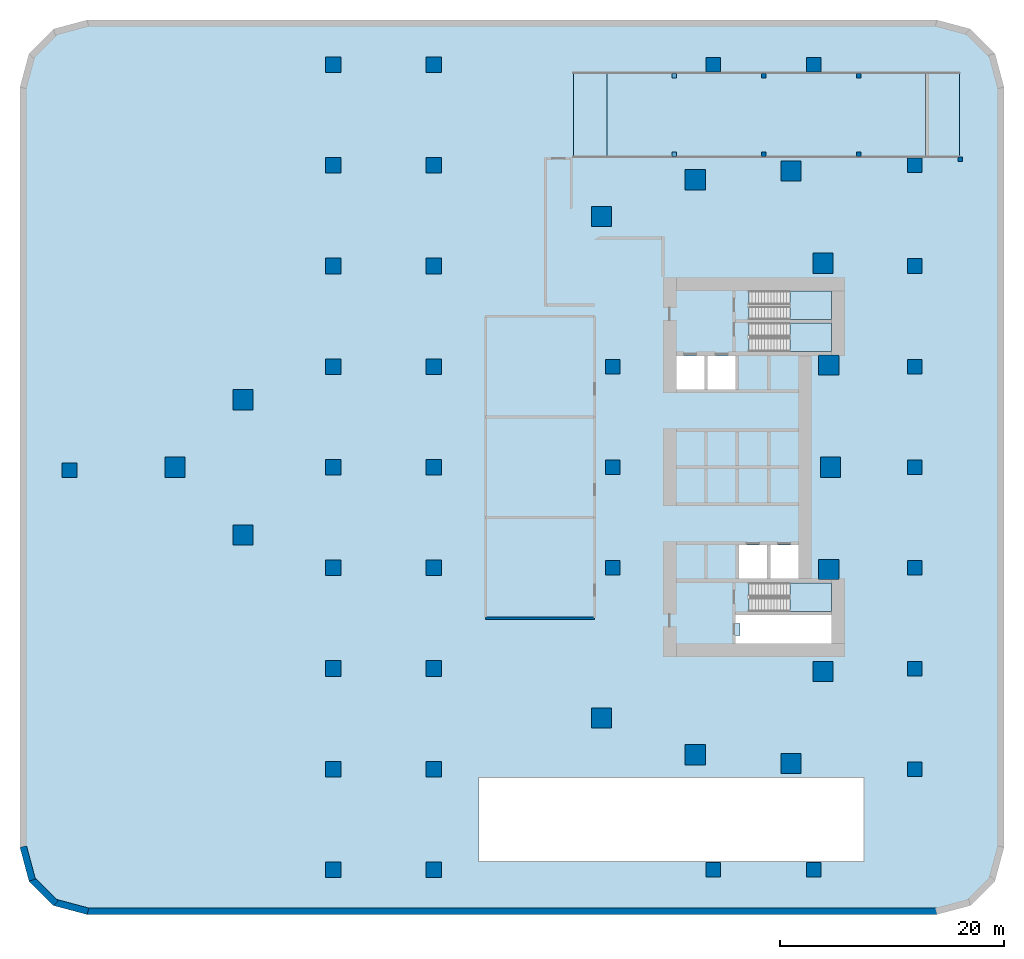
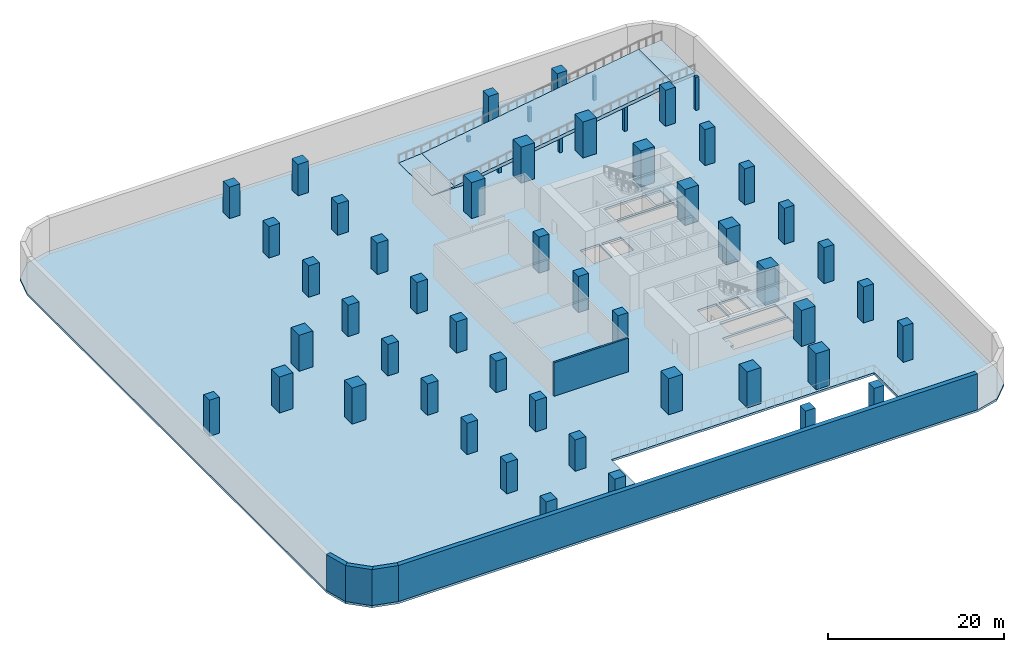
# One storey, part 1 of 9: 54 columns, 7 slabs, 5 walls, 1 opening, 3 elements without a shape of their own.
"""IFC4 building model written with IfcOpenShell, lengths in metres."""

import ifcopenshell
import ifcopenshell.guid

model = None  # the IFC model being written
_history = None  # IfcOwnerHistory: only IFC2X3 demands one
_inside = {}  # id of a spatial element -> (the spatial element, [elements in it])
_under = {}  # id of a project, library or spatial element -> (it, [spatial elements below it])
_declared = {}  # id of a project -> (the project, [libraries it declares])
_typed = {}  # id of a type object -> (the type object, [elements of that type])
_made_of = {}  # id of a material, layer set ... -> (it, [elements and type objects made of it])


def new_model(schema):
    """Start an empty IFC model of exactly this schema.

    Asked for "IFC4X3", IfcOpenShell would pick the latest addendum, in which some entities
    have other attributes; the version numbers below select the first issue.
    IFC2X3 requires an IfcOwnerHistory on every rooted entity: one is made here for all.
    """
    global model, _history
    if schema == "IFC4X3":
        model = ifcopenshell.file(schema_version=(4, 3, 0, 0))
    else:
        model = ifcopenshell.file(schema=schema)
    _inside.clear()
    _under.clear()
    _declared.clear()
    _typed.clear()
    _made_of.clear()
    _history = None
    if model.schema == "IFC2X3":
        org = make("IfcOrganization", Name="unknown")
        user = make(
            "IfcPersonAndOrganization",
            ThePerson=make("IfcPerson", FamilyName="unknown"),
            TheOrganization=org,
        )
        app = make(
            "IfcApplication",
            ApplicationDeveloper=org,
            Version="unknown",
            ApplicationFullName="unknown",
            ApplicationIdentifier="unknown",
        )
        _history = make(
            "IfcOwnerHistory",
            OwningUser=user,
            OwningApplication=app,
            ChangeAction="ADDED",
            CreationDate=0,
        )
    return model


def make(cls, **values):
    """One entity of the class cls with the attributes given. An attribute that is None is left unset."""
    return model.create_entity(
        cls, **{name: value for name, value in values.items() if value is not None}
    )


def rooted(cls, **values):
    """An entity with a GlobalId (a new one), such as an element, a storey or a relation."""
    return make(cls, GlobalId=ifcopenshell.guid.new(), OwnerHistory=_history, **values)


def si_unit(unit_type, name, prefix=None):
    """IfcSIUnit, for example si_unit("LENGTHUNIT", "METRE", prefix="MILLI")."""
    return make("IfcSIUnit", UnitType=unit_type, Prefix=prefix, Name=name)


def assignment(units):
    """IfcUnitAssignment: the units of a project."""
    return None if units is None else make("IfcUnitAssignment", Units=units)


def point(xyz):
    """IfcCartesianPoint."""
    return None if xyz is None else make("IfcCartesianPoint", Coordinates=xyz)


def direction(xyz):
    """IfcDirection."""
    return None if xyz is None else make("IfcDirection", DirectionRatios=xyz)


def frame(location, z_axis=None, x_axis=None):
    """IfcAxis2Placement3D, a coordinate frame: its origin and axes. An axis left out is left unset."""
    return make(
        "IfcAxis2Placement3D",
        Location=point(location),
        Axis=direction(z_axis),
        RefDirection=direction(x_axis),
    )


def frame_2d(location, x_axis=None):
    """IfcAxis2Placement2D, a coordinate frame in the plane: its origin and x axis."""
    return make(
        "IfcAxis2Placement2D", Location=point(location), RefDirection=direction(x_axis)
    )


def origin():
    """The frame at (0, 0, 0) with its axes left unset."""
    return frame((0.0, 0.0, 0.0))


def origin_2d():
    """The frame at (0, 0) in the plane with its x axis left unset."""
    return frame_2d((0.0, 0.0))


def place(relative_to, where):
    """IfcLocalPlacement: puts the frame where relative to a parent placement (None: the world)."""
    return make(
        "IfcLocalPlacement", PlacementRelTo=relative_to, RelativePlacement=where
    )


def context(
    kind, dimensions, precision=None, world=None, true_north=None, identifier=None
):
    """IfcGeometricRepresentationContext, for example the 3D "Model" context."""
    return make(
        "IfcGeometricRepresentationContext",
        ContextIdentifier=identifier,
        ContextType=kind,
        CoordinateSpaceDimension=dimensions,
        Precision=precision,
        WorldCoordinateSystem=world,
        TrueNorth=true_north,
    )


def subcontext(parent, identifier, kind, view, scale=None):
    """IfcGeometricRepresentationSubContext, for example "Body" below "Model"."""
    return make(
        "IfcGeometricRepresentationSubContext",
        ContextIdentifier=identifier,
        ContextType=kind,
        ParentContext=parent,
        TargetScale=scale,
        TargetView=view,
    )


def project(units=None, contexts=None):
    """IfcProject with its units and contexts."""
    return rooted(
        "IfcProject",
        Name="project",
        RepresentationContexts=contexts,
        UnitsInContext=assignment(units),
    )


def spatial(cls, under=None, at=None, **own):
    """A site, building, storey or space (cls), placed at a placement, below another one or the project."""
    s = rooted(cls, ObjectPlacement=at, **own)
    if under is not None:
        _under.setdefault(under.id(), (under, []))[1].append(s)
    return s


def polyline(points):
    """IfcPolyline through the points."""
    return make("IfcPolyline", Points=[point(p) for p in points])


def profile(cls, at=None, kind="AREA", **sizes):
    """A parametric profile (cls). Its sizes go by their IFC names, for example OverallWidth=200.0."""
    return make(cls, ProfileType=kind, Position=at, **sizes)


def rectangle(**sizes):
    """IfcRectangleProfileDef."""
    return profile("IfcRectangleProfileDef", **sizes)


def outline(outer, holes=None, kind="AREA"):
    """IfcArbitraryClosedProfileDef: a profile drawn as a closed curve; with holes, ...WithVoids."""
    if holes is None:
        return make("IfcArbitraryClosedProfileDef", ProfileType=kind, OuterCurve=outer)
    return make(
        "IfcArbitraryProfileDefWithVoids",
        ProfileType=kind,
        OuterCurve=outer,
        InnerCurves=holes,
    )


def extrude(swept, where, along, depth):
    """IfcExtrudedAreaSolid: the profile swept, set in the frame where, extruded along a direction by depth."""
    return make(
        "IfcExtrudedAreaSolid",
        SweptArea=swept,
        Position=where,
        ExtrudedDirection=direction(along),
        Depth=depth,
    )


def shape(context_of_items, identifier, shape_type, items):
    """IfcShapeRepresentation: the items that make up one representation, for example the "Body"."""
    return make(
        "IfcShapeRepresentation",
        ContextOfItems=context_of_items,
        RepresentationIdentifier=identifier,
        RepresentationType=shape_type,
        Items=items,
    )


def material(Name=None, Category=None):
    """IfcMaterial."""
    return make("IfcMaterial", Name=Name, Category=Category)


def layer(
    of_material, thickness, ventilated=None, Name=None, Category=None, Priority=None
):
    """IfcMaterialLayer: one layer of a wall or slab, of a material (None: an air gap)."""
    return make(
        "IfcMaterialLayer",
        Material=of_material,
        LayerThickness=thickness,
        IsVentilated=ventilated,
        Name=Name,
        Category=Category,
        Priority=Priority,
    )


def layer_set(layers, Name=None):
    """IfcMaterialLayerSet."""
    return make("IfcMaterialLayerSet", MaterialLayers=layers, LayerSetName=Name)


def material_profile(
    of_material, cross_section, Name=None, Category=None, Priority=None
):
    """IfcMaterialProfile: a cross section and its material."""
    return make(
        "IfcMaterialProfile",
        Name=Name,
        Material=of_material,
        Profile=cross_section,
        Priority=Priority,
        Category=Category,
    )


def profile_set(profiles, Name=None, composite=None):
    """IfcMaterialProfileSet."""
    return make(
        "IfcMaterialProfileSet",
        Name=Name,
        MaterialProfiles=profiles,
        CompositeProfile=composite,
    )


def made_of(thing, what):
    """Note that an element or type object is made of a material, layer set ...; save() writes the relation."""
    if what is not None:
        _made_of.setdefault(what.id(), (what, []))[1].append(thing)
    return thing


def type_object(cls, material=None, **own):
    """A type object (cls), such as IfcWallType, which elements share."""
    return made_of(rooted(cls, **own), material)


def element(
    cls,
    number,
    at=None,
    inside=None,
    cuts=None,
    type_object=None,
    material=None,
    context=None,
    identifier="Body",
    shape_type=None,
    held_by="IfcProductDefinitionShape",
    body=None,
    shapes=None,
    **own,
):
    """One element of the class cls, such as IfcWall. Its Tag is "e" and its number.

    at: its placement. inside: the storey or other place that contains it. cuts: it is an
    opening in that element (IfcRelVoidsElement). A single representation is given by context,
    identifier, shape_type and body (its items); several are given by shapes. held_by: the class
    of the entity that holds the representations. save() writes the other relations.
    """
    e = rooted(cls, Tag="e%d" % number, ObjectPlacement=at, **own)
    if body is not None:
        shapes = [shape(context, identifier, shape_type, body)]
    if shapes is not None:
        e.Representation = make(held_by, Representations=shapes)
    if inside is not None:
        _inside.setdefault(inside.id(), (inside, []))[1].append(e)
    if cuts is not None:
        rooted(
            "IfcRelVoidsElement", RelatingBuildingElement=cuts, RelatedOpeningElement=e
        )
    if type_object is not None:
        _typed.setdefault(type_object.id(), (type_object, []))[1].append(e)
    return made_of(e, material)


def aggregate(whole, parts):
    """IfcRelAggregates: a whole, such as a stair, and the parts it consists of."""
    return rooted("IfcRelAggregates", RelatingObject=whole, RelatedObjects=parts)


def save(model, path):
    """Write the relations noted so far, then the file.

    IfcRelAggregates (storeys below a building ...), IfcRelContainedInSpatialStructure (elements
    in a storey), IfcRelDefinesByType, IfcRelAssociatesMaterial and IfcRelDeclares: one each for
    every whole, place, type object, material and project.
    """
    for whole, parts in _under.values():
        aggregate(whole, parts)
    for where, things in _inside.values():
        rooted(
            "IfcRelContainedInSpatialStructure",
            RelatedElements=things,
            RelatingStructure=where,
        )
    for kind, things in _typed.values():
        rooted("IfcRelDefinesByType", RelatedObjects=things, RelatingType=kind)
    for what, things in _made_of.values():
        rooted("IfcRelAssociatesMaterial", RelatedObjects=things, RelatingMaterial=what)
    for by, libraries in _declared.values():
        rooted("IfcRelDeclares", RelatingContext=by, RelatedDefinitions=libraries)
    model.write(path)


model = new_model("IFC4")

# Units and contexts
model_context = context("Model", 3, precision=1e-05, world=origin(), true_north=direction((0.0, 1.0)))
body_context = subcontext(model_context, "Body", "Model", "MODEL_VIEW")
ifc_project = project(units=[si_unit("LENGTHUNIT", "METRE"), si_unit("AREAUNIT", "SQUARE_METRE"), si_unit("VOLUMEUNIT", "CUBIC_METRE"), si_unit("PLANEANGLEUNIT", "RADIAN"), si_unit("MASSUNIT", "GRAM", prefix="KILO")], contexts=[model_context])

# Site, building, storey
site_placement = place(None, origin())
site = spatial("IfcSite", under=ifc_project, at=site_placement, CompositionType="ELEMENT")
building_placement = place(site_placement, origin())
building = spatial("IfcBuilding", under=site, at=building_placement, Name="Ostrand Prow Hotel Tower", CompositionType="ELEMENT")
storey_placement = place(building_placement, frame((0.0, 0.0, -5.0)))
storey = spatial("IfcBuildingStorey", under=building, at=storey_placement, Name="B1", CompositionType="ELEMENT", Elevation=-5.0)

# Columns
ifc_material_1 = material(Name="Concrete C60/75", Category="concrete")
ifc_material_profile_1 = material_profile(ifc_material_1, rectangle(XDim=1.300048828125, YDim=1.300048828125, at=origin_2d()), Name="RC 1300x1300")
ifc_profile_set_1 = profile_set([ifc_material_profile_1], Name="Concrete C60/75")
column_type_1 = type_object("IfcColumnType", Name="Interior column 1300x1300 C60/75", PredefinedType="COLUMN", material=ifc_profile_set_1)
for number, where, z_axis, x_axis, name in (
    (1, (-3.573974609375, -0.262939453125, 0.0), (0.0, 0.0, 1.0), (1.0, 0.0, 0.0), "Interior column W4S0"),
    (2, (45.0, -9.0, 0.0), (0.0, 0.0, 1.0), (1.0, 0.0, 0.0), "Interior column 45S9"),
    (3, (45.0, 0.0, 0.0), (0.0, 0.0, 1.0), (1.0, 0.0, 0.0), "Interior column 45C0"),
    (4, (45.0, 9.0, 0.0), (0.0, 0.0, 1.0), (1.0, 0.0, 0.0), "Interior column 45N9"),
    (5, (54.0, -36.0, 0.0), (0.0, 0.0, 1.0), (1.0, 0.0, 0.0), "Interior column 54S36"),
    (6, (54.0, 36.0, 0.0), (0.0, 0.0, 1.0), (1.0, 0.0, 0.0), "Interior column 54N36"),
    (7, (63.0, -36.0, 0.0), (0.0, 0.0, 1.0), (1.0, 0.0, 0.0), "Interior column 63S36"),
    (8, (63.0, 36.0, 0.0), (0.0, 0.0, 1.0), (1.0, 0.0, 0.0), "Interior column 63N36"),
    (9, (72.0, -27.0, 0.0), (0.0, 0.0, 1.0), (1.0, 0.0, 0.0), "Interior column 72S27"),
    (10, (72.0, -18.0, 0.0), (0.0, 0.0, 1.0), (1.0, 0.0, 0.0), "Interior column 72S18"),
    (11, (72.0, -9.0, 0.0), (0.0, 0.0, 1.0), (1.0, 0.0, 0.0), "Interior column 72S9"),
    (12, (72.0, 0.0, 0.0), (0.0, 0.0, 1.0), (1.0, 0.0, 0.0), "Interior column 72C0"),
    (13, (72.0, 9.0, 0.0), (0.0, 0.0, 1.0), (1.0, 0.0, 0.0), "Interior column 72N9"),
    (14, (72.0, 18.0, 0.0), (0.0, 0.0, 1.0), (1.0, 0.0, 0.0), "Interior column 72N18"),
    (15, (72.0, 27.0, 0.0), (0.0, 0.0, 1.0), (1.0, 0.0, 0.0), "Interior column 72N27"),
):
    element("IfcColumn", number, at=place(storey_placement, frame(where, z_axis=z_axis, x_axis=x_axis)), inside=storey, type_object=column_type_1, Name=name, PredefinedType="COLUMN", context=body_context, shape_type="SweptSolid", body=[
        extrude(rectangle(XDim=1.300048828125, YDim=1.300048828125, at=origin_2d()), origin(), (0.0, 0.0, 1.0), 5.0),
    ])
ifc_material_2 = material(Name="Concrete C60/75", Category="concrete")
ifc_material_profile_2 = material_profile(ifc_material_2, rectangle(XDim=1.39990234375, YDim=1.39990234375, at=origin_2d()), Name="RC 1400x1400")
ifc_profile_set_2 = profile_set([ifc_material_profile_2], Name="Concrete C60/75")
column_type_2 = type_object("IfcColumnType", Name="Interior column 1400x1400 C60/75", PredefinedType="COLUMN", material=ifc_profile_set_2)
for number, where, z_axis, x_axis, name in (
    (16, (20.0, -36.0, 0.0), (0.0, 0.0, 1.0), (1.0, 0.0, 0.0), "Interior column 20S36"),
    (17, (20.0, -27.0, 0.0), (0.0, 0.0, 1.0), (1.0, 0.0, 0.0), "Interior column 20S27"),
    (18, (20.0, -18.0, 0.0), (0.0, 0.0, 1.0), (1.0, 0.0, 0.0), "Interior column 20S18"),
    (19, (20.0, -9.0, 0.0), (0.0, 0.0, 1.0), (1.0, 0.0, 0.0), "Interior column 20S9"),
    (20, (20.0, 0.0, 0.0), (0.0, 0.0, 1.0), (1.0, 0.0, 0.0), "Interior column 20C0"),
    (21, (20.0, 9.0, 0.0), (0.0, 0.0, 1.0), (1.0, 0.0, 0.0), "Interior column 20N9"),
    (22, (20.0, 18.0, 0.0), (0.0, 0.0, 1.0), (1.0, 0.0, 0.0), "Interior column 20N18"),
    (23, (20.0, 27.0, 0.0), (0.0, 0.0, 1.0), (1.0, 0.0, 0.0), "Interior column 20N27"),
    (24, (20.0, 36.0, 0.0), (0.0, 0.0, 1.0), (1.0, 0.0, 0.0), "Interior column 20N36"),
    (25, (29.0, -36.0, 0.0), (0.0, 0.0, 1.0), (1.0, 0.0, 0.0), "Interior column 29S36"),
    (26, (29.0, -27.0, 0.0), (0.0, 0.0, 1.0), (1.0, 0.0, 0.0), "Interior column 29S27"),
    (27, (29.0, -18.0, 0.0), (0.0, 0.0, 1.0), (1.0, 0.0, 0.0), "Interior column 29S18"),
    (28, (29.0, -9.0, 0.0), (0.0, 0.0, 1.0), (1.0, 0.0, 0.0), "Interior column 29S9"),
    (29, (29.0, 0.0, 0.0), (0.0, 0.0, 1.0), (1.0, 0.0, 0.0), "Interior column 29C0"),
    (30, (29.0, 9.0, 0.0), (0.0, 0.0, 1.0), (1.0, 0.0, 0.0), "Interior column 29N9"),
    (31, (29.0, 18.0, 0.0), (0.0, 0.0, 1.0), (1.0, 0.0, 0.0), "Interior column 29N18"),
    (32, (29.0, 27.0, 0.0), (0.0, 0.0, 1.0), (1.0, 0.0, 0.0), "Interior column 29N27"),
    (33, (29.0, 36.0, 0.0), (0.0, 0.0, 1.0), (1.0, 0.0, 0.0), "Interior column 29N36"),
):
    element("IfcColumn", number, at=place(storey_placement, frame(where, z_axis=z_axis, x_axis=x_axis)), inside=storey, type_object=column_type_2, Name=name, PredefinedType="COLUMN", context=body_context, shape_type="SweptSolid", body=[
        extrude(rectangle(XDim=1.39990234375, YDim=1.39990234375, at=origin_2d()), origin(), (0.0, 0.0, 1.0), 4.35009765625),
    ])
ifc_material_3 = material(Name="Concrete C40/50", Category="concrete")
ifc_material_profile_3 = material_profile(ifc_material_3, rectangle(XDim=0.39990234375, YDim=0.39990234375, at=origin_2d()), Name="Ramp support column 400")
ifc_profile_set_3 = profile_set([ifc_material_profile_3], Name="Concrete C40/50")
column_type_3 = type_object("IfcColumnType", Name="Ramp support column 400", PredefinedType="COLUMN", material=ifc_profile_set_3)
for number, where, z_axis, x_axis, name in (
    (34, (50.5, 28.0, 0.0), (0.0, 0.0, 1.0), (1.0, 0.0, 0.0), "Ramp support column"),
    (35, (50.5, 35.0, 0.0), (0.0, 0.0, 1.0), (1.0, 0.0, 0.0), "Ramp support column"),
):
    element("IfcColumn", number, at=place(storey_placement, frame(where, z_axis=z_axis, x_axis=x_axis)), inside=storey, type_object=column_type_3, Name=name, PredefinedType="COLUMN", context=body_context, shape_type="SweptSolid", body=[
        extrude(rectangle(XDim=0.39990234375, YDim=0.39990234375, at=origin_2d()), origin(), (0.0, 0.0, 1.0), 0.747314453125),
    ])
for number, where, z_axis, x_axis, name in (
    (36, (58.5, 28.0, 0.0), (0.0, 0.0, 1.0), (1.0, 0.0, 0.0), "Ramp support column"),
    (37, (58.5, 35.0, 0.0), (0.0, 0.0, 1.0), (1.0, 0.0, 0.0), "Ramp support column"),
):
    element("IfcColumn", number, at=place(storey_placement, frame(where, z_axis=z_axis, x_axis=x_axis)), inside=storey, type_object=column_type_3, Name=name, PredefinedType="COLUMN", context=body_context, shape_type="SweptSolid", body=[
        extrude(rectangle(XDim=0.39990234375, YDim=0.39990234375, at=origin_2d()), origin(), (0.0, 0.0, 1.0), 2.010498046875),
    ])
for number, where, z_axis, x_axis, name in (
    (38, (67.0, 28.0, 0.0), (0.0, 0.0, 1.0), (1.0, 0.0, 0.0), "Ramp support column"),
    (39, (67.0, 35.0, 0.0), (0.0, 0.0, 1.0), (1.0, 0.0, 0.0), "Ramp support column"),
):
    element("IfcColumn", number, at=place(storey_placement, frame(where, z_axis=z_axis, x_axis=x_axis)), inside=storey, type_object=column_type_3, Name=name, PredefinedType="COLUMN", context=body_context, shape_type="SweptSolid", body=[
        extrude(rectangle(XDim=0.39990234375, YDim=0.39990234375, at=origin_2d()), origin(), (0.0, 0.0, 1.0), 3.3525390625),
    ])
column_placement = place(storey_placement, frame((76.10009765625, 27.550048828125, 0.0), z_axis=(0.0, 0.0, 1.0), x_axis=(1.0, 0.0, 0.0)))
element("IfcColumn", 40, at=column_placement, inside=storey, type_object=column_type_3, Name="Ramp support column", PredefinedType="COLUMN", context=body_context, shape_type="SweptSolid", body=[
    extrude(rectangle(XDim=0.39990234375, YDim=0.39990234375, at=origin_2d()), origin(), (0.0, 0.0, 1.0), 4.60009765625),
])
ifc_material_4 = material(Name="Concrete C60/75", Category="concrete")
ifc_material_profile_4 = material_profile(ifc_material_4, rectangle(XDim=1.800048828125, YDim=1.800048828125, at=origin_2d()), Name="RC 1800x1800")
ifc_profile_set_4 = profile_set([ifc_material_profile_4], Name="Concrete C60/75")
column_type_4 = type_object("IfcColumnType", Name="Stone-faced mega column 1800x1800 C60/75", PredefinedType="COLUMN", material=ifc_profile_set_4)
for number, where, z_axis, x_axis, name in (
    (41, (5.848388671875, 0.0, 0.0), (0.0, 0.0, 1.0), (1.0, 0.0, 0.0), "Mega column P"),
    (42, (11.926513671875, -6.0419921875, 0.0), (0.0, 0.0, 1.0), (1.0, 0.0, 0.0), "Mega column S1"),
    (43, (43.997802734375, -22.427978515625, 0.0), (0.0, 0.0, 1.0), (1.0, 0.0, 0.0), "Mega column S5"),
    (44, (52.3916015625, -25.710205078125, 0.0), (0.0, 0.0, 1.0), (1.0, 0.0, 0.0), "Mega column S6"),
    (45, (60.966064453125, -26.49853515625, 0.0), (0.0, 0.0, 1.0), (1.0, 0.0, 0.0), "Mega column SE"),
    (46, (63.8134765625, -18.248779296875, 0.0), (0.0, 0.0, 1.0), (1.0, 0.0, 0.0), "Mega column B1"),
    (47, (64.328369140625, -9.130859375, 0.0), (0.0, 0.0, 1.0), (1.0, 0.0, 0.0), "Mega column B2"),
    (48, (64.5, 0.0, 0.0), (0.0, 0.0, 1.0), (1.0, 0.0, 0.0), "Mega column B3"),
    (49, (64.328369140625, 9.130859375, 0.0), (0.0, 0.0, 1.0), (1.0, 0.0, 0.0), "Mega column B4"),
    (50, (63.8134765625, 18.248779296875, 0.0), (0.0, 0.0, 1.0), (1.0, 0.0, 0.0), "Mega column B5"),
    (51, (60.966064453125, 26.49853515625, 0.0), (0.0, 0.0, 1.0), (1.0, 0.0, 0.0), "Mega column NE"),
    (52, (52.3916015625, 25.710205078125, 0.0), (0.0, 0.0, 1.0), (1.0, 0.0, 0.0), "Mega column N1"),
    (53, (43.997802734375, 22.427978515625, 0.0), (0.0, 0.0, 1.0), (1.0, 0.0, 0.0), "Mega column N2"),
    (54, (11.926513671875, 6.0419921875, 0.0), (0.0, 0.0, 1.0), (1.0, 0.0, 0.0), "Mega column N6"),
):
    element("IfcColumn", number, at=place(storey_placement, frame(where, z_axis=z_axis, x_axis=x_axis)), inside=storey, type_object=column_type_4, Name=name, PredefinedType="COLUMN", context=body_context, shape_type="SweptSolid", body=[
        extrude(rectangle(XDim=1.800048828125, YDim=1.800048828125, at=origin_2d()), origin(), (0.0, 0.0, 1.0), 5.0),
    ])

# Slab, opening
ifc_material_5 = material(Name="Concrete C40/50", Category="concrete")
ifc_layer_1 = layer(ifc_material_5, 0.300048828125)
ifc_layer_set_1 = layer_set([ifc_layer_1], Name="Concrete C40/50")
slab_type_1 = type_object("IfcSlabType", Name="PT flat plate 300 C40/50", PredefinedType="FLOOR", material=ifc_layer_set_1)
slab_1_placement = place(storey_placement, frame((0.0, 0.0, -0.300048828125)))
slab_1 = element("IfcSlab", 55, at=slab_1_placement, inside=storey, type_object=slab_type_1, Name="Floor slab B1-1", PredefinedType="FLOOR", context=body_context, shape_type="SweptSolid", body=[
    extrude(outline(polyline([(74.0, -40.0), (77.0, -39.1962890625), (79.1962890625, -37.0), (80.0, -34.0), (80.0, 34.0), (79.1962890625, 37.0), (77.0, 39.1962890625), (74.0, 40.0), (-2.0, 40.0), (-5.0, 39.1962890625), (-7.1962890625, 37.0), (-8.0, 34.0), (-8.0, -34.0), (-7.1962890625, -37.0), (-5.0, -39.1962890625), (-2.0, -40.0), (74.0, -40.0)]), holes=[polyline([(50.699951171875, 6.949951171875), (53.199951171875, 6.949951171875), (53.199951171875, 9.949951171875), (50.699951171875, 9.949951171875), (50.699951171875, 6.949951171875)]), polyline([(53.5, 6.949951171875), (56.0, 6.949951171875), (56.0, 9.949951171875), (53.5, 9.949951171875), (53.5, 6.949951171875)]), polyline([(56.300048828125, -9.949951171875), (58.800048828125, -9.949951171875), (58.800048828125, -6.949951171875), (56.300048828125, -6.949951171875), (56.300048828125, -9.949951171875)]), polyline([(59.10009765625, -9.949951171875), (61.60009765625, -9.949951171875), (61.60009765625, -6.949951171875), (59.10009765625, -6.949951171875), (59.10009765625, -9.949951171875)]), polyline([(57.200927734375, 10.35107421875), (57.200927734375, 12.89892578125), (64.55908203125, 12.89892578125), (64.55908203125, 10.35107421875), (57.200927734375, 10.35107421875)]), polyline([(57.200927734375, 13.200927734375), (57.200927734375, 15.7490234375), (64.55908203125, 15.7490234375), (64.55908203125, 13.200927734375), (57.200927734375, 13.200927734375)]), polyline([(57.200927734375, -12.89892578125), (57.200927734375, -10.35107421875), (64.55908203125, -10.35107421875), (64.55908203125, -12.89892578125), (57.200927734375, -12.89892578125)]), polyline([(33.0, -35.25), (67.5, -35.25), (67.5, -27.75), (33.0, -27.75), (33.0, -35.25)]), polyline([(41.5, 27.75), (44.5, 27.75), (44.5, 35.25), (41.5, 35.25), (41.5, 27.75)]), polyline([(56.0, -15.75), (56.0, -15.050048828125), (56.39990234375, -15.050048828125), (56.39990234375, -13.949951171875), (56.0, -13.949951171875), (56.0, -13.199951171875), (64.56005859375, -13.199951171875), (64.56005859375, -15.75), (56.0, -15.75)])]), origin(), (0.0, 0.0, 1.0), 0.300048828125),
])
opening_placement = place(slab_1_placement, origin())
element("IfcOpeningElement", 56, at=opening_placement, cuts=slab_1, Name="Shaft opening 1", PredefinedType="OPENING", context=body_context, shape_type="SweptSolid", body=[
    extrude(outline(polyline([(56.0, -15.75), (56.0, -15.050048828125), (56.39990234375, -15.050048828125), (56.39990234375, -13.949951171875), (56.0, -13.949951171875), (56.0, -13.199951171875), (64.56005859375, -13.199951171875), (64.56005859375, -15.75), (56.0, -15.75)])), origin(), (0.0, 0.0, 1.0), 0.300048828125),
])

# Slabs
ifc_material_6 = material(Name="Concrete C40/50", Category="concrete")
ifc_layer_2 = layer(ifc_material_6, 0.449951171875)
ifc_layer_set_2 = layer_set([ifc_layer_2], Name="Concrete C40/50")
slab_type_2 = type_object("IfcSlabType", Name="Ramp slab 450 C40/50", PredefinedType="FLOOR", material=ifc_layer_set_2)
slab_2_placement = place(storey_placement, frame((76.0, 31.5, 5.0), z_axis=(0.0, 0.0, 1.0), x_axis=(-1.0, 0.0, 0.0)))
element("IfcSlab", 57, at=slab_2_placement, inside=storey, type_object=slab_type_2, Name="Vehicle ramp 1 slab 1", PredefinedType="FLOOR", context=body_context, shape_type="SweptSolid", body=[
    extrude(outline(polyline([(0.0, 0.0), (1.5, -0.125), (3.0, -0.25), (3.0, -0.475830078125), (3.0, -0.70166015625), (1.5, -0.57666015625), (0.0, -0.45166015625), (0.0, -0.225830078125), (0.0, 0.0)])), frame((0.0, 3.75, 0.0), z_axis=(0.0, -1.0, 0.0), x_axis=(1.0, 0.0, 0.0)), (0.0, 0.0, 1.0), 7.5),
])
slab_3_placement = place(storey_placement, frame((73.0, 31.5, 4.75), z_axis=(0.0, 0.0, 1.0), x_axis=(-1.0, 0.0, 0.0)))
element("IfcSlab", 58, at=slab_3_placement, inside=storey, type_object=slab_type_2, Name="Vehicle ramp 1 slab 2", PredefinedType="FLOOR", context=body_context, shape_type="SweptSolid", body=[
    extrude(outline(polyline([(0.0, 0.0), (14.25, -2.25), (28.5, -4.5), (28.5, -4.727783203125), (28.5, -4.95556640625), (14.25, -2.70556640625), (0.0, -0.45556640625), (0.0, -0.227783203125), (0.0, 0.0)])), frame((0.0, 3.75, 0.0), z_axis=(0.0, -1.0, 0.0), x_axis=(1.0, 0.0, 0.0)), (0.0, 0.0, 1.0), 7.5),
])
slab_4_placement = place(storey_placement, frame((44.5, 31.5, 0.25), z_axis=(0.0, 0.0, 1.0), x_axis=(-1.0, 0.0, 0.0)))
element("IfcSlab", 59, at=slab_4_placement, inside=storey, type_object=slab_type_2, Name="Vehicle ramp 1 slab 3", PredefinedType="FLOOR", context=body_context, shape_type="SweptSolid", body=[
    extrude(outline(polyline([(0.0, 0.0), (1.5, -0.125), (3.0, -0.25), (3.0, -0.475830078125), (3.0, -0.70166015625), (1.5, -0.57666015625), (0.0, -0.45166015625), (0.0, -0.225830078125), (0.0, 0.0)])), frame((0.0, 3.75, 0.0), z_axis=(0.0, -1.0, 0.0), x_axis=(1.0, 0.0, 0.0)), (0.0, 0.0, 1.0), 7.5),
])

# Stair, slab
ifc_material_7 = material(Name="Concrete C40/50", Category="concrete")
stair_type = type_object("IfcStairType", Name="Exit stair 1200 lower zone", PredefinedType="HALF_TURN_STAIR", material=ifc_material_7)
stair_1_placement = place(storey_placement, origin())
stair_1 = element("IfcStair", 60, at=stair_1_placement, inside=storey, type_object=stair_type, Name="B1 ST1A", PredefinedType="HALF_TURN_STAIR")
ifc_material_8 = material(Name="Concrete C40/50", Category="concrete")
ifc_layer_3 = layer(ifc_material_8, 0.199951171875)
ifc_layer_set_3 = layer_set([ifc_layer_3], Name="Concrete C40/50")
slab_type_3 = type_object("IfcSlabType", Name="Stair landing 200 concrete", PredefinedType="LANDING", material=ifc_layer_set_3)
slab_5_placement = place(storey_placement, frame((0.0, 0.0, 2.300048828125)))
slab_5 = element("IfcSlab", 61, at=slab_5_placement, type_object=slab_type_3, Name="ST1A landing 1", PredefinedType="LANDING", context=body_context, shape_type="SweptSolid", body=[
    extrude(outline(polyline([(60.840087890625, 10.35009765625), (64.56005859375, 10.35009765625), (64.56005859375, 12.89990234375), (60.840087890625, 12.89990234375), (60.840087890625, 10.35009765625)])), origin(), (0.0, 0.0, 1.0), 0.199951171875),
])
aggregate(stair_1, [slab_5])

stair_2_placement = place(storey_placement, origin())
stair_2 = element("IfcStair", 62, at=stair_2_placement, inside=storey, type_object=stair_type, Name="B1 ST3A", PredefinedType="HALF_TURN_STAIR")
slab_6_placement = place(storey_placement, frame((0.0, 0.0, 2.300048828125)))
slab_6 = element("IfcSlab", 63, at=slab_6_placement, type_object=slab_type_3, Name="ST3A landing 1", PredefinedType="LANDING", context=body_context, shape_type="SweptSolid", body=[
    extrude(outline(polyline([(60.840087890625, 13.199951171875), (64.56005859375, 13.199951171875), (64.56005859375, 15.75), (60.840087890625, 15.75), (60.840087890625, 13.199951171875)])), origin(), (0.0, 0.0, 1.0), 0.199951171875),
])
aggregate(stair_2, [slab_6])

stair_3_placement = place(storey_placement, origin())
stair_3 = element("IfcStair", 64, at=stair_3_placement, inside=storey, type_object=stair_type, Name="B1 ST2A", PredefinedType="HALF_TURN_STAIR")
slab_7_placement = place(storey_placement, frame((0.0, 0.0, 2.300048828125)))
slab_7 = element("IfcSlab", 65, at=slab_7_placement, type_object=slab_type_3, Name="ST2A landing 1", PredefinedType="LANDING", context=body_context, shape_type="SweptSolid", body=[
    extrude(outline(polyline([(60.840087890625, -12.89990234375), (64.56005859375, -12.89990234375), (64.56005859375, -10.35009765625), (60.840087890625, -10.35009765625), (60.840087890625, -12.89990234375)])), origin(), (0.0, 0.0, 1.0), 0.199951171875),
])
aggregate(stair_3, [slab_7])

# Walls
ifc_material_9 = material(Name="Concrete C40/50", Category="concrete")
ifc_layer_4 = layer(ifc_material_9, 0.60009765625)
ifc_layer_set_4 = layer_set([ifc_layer_4], Name="Concrete C40/50")
wall_type_1 = type_object("IfcWallType", Name="Retaining wall 600 C40/50", PredefinedType="STANDARD", material=ifc_layer_set_4)
for number, where, z_axis, x_axis, name in (
    (66, (-7.710205078125, -33.92236328125, 0.0), (0.0, 0.0, 1.0), (0.258777996848, -0.965936824201, 0.0), "Retaining wall B1-13"),
    (67, (-6.98388671875, -36.787841796875, 0.0), (0.0, 0.0, 1.0), (0.707106781187, -0.707106781187, 0.0), "Retaining wall B1-14"),
    (68, (-4.92236328125, -38.906494140625, 0.0), (0.0, 0.0, 1.0), (0.965936824201, -0.258777996848, 0.0), "Retaining wall B1-15"),
):
    element("IfcWall", number, at=place(storey_placement, frame(where, z_axis=z_axis, x_axis=x_axis)), inside=storey, type_object=wall_type_1, Name=name, PredefinedType="STANDARD", context=body_context, shape_type="SweptSolid", body=[
        extrude(rectangle(XDim=3.105712890625, YDim=0.60009765625, at=frame_2d((1.552734375, 0.0))), origin(), (0.0, 0.0, 1.0), 5.0),
    ])
wall_1_placement = place(storey_placement, frame((-2.0, -39.699951171875, 0.0), z_axis=(0.0, 0.0, 1.0), x_axis=(1.0, 0.0, 0.0)))
element("IfcWall", 69, at=wall_1_placement, inside=storey, type_object=wall_type_1, Name="Retaining wall B1-16", PredefinedType="STANDARD", context=body_context, shape_type="SweptSolid", body=[
    extrude(rectangle(XDim=76.0, YDim=0.60009765625, at=frame_2d((38.0, 0.0))), origin(), (0.0, 0.0, 1.0), 5.0),
])
ifc_material_10 = material(Name="Concrete block wall", Category="concrete")
ifc_layer_5 = layer(ifc_material_10, 0.25)
ifc_layer_set_5 = layer_set([ifc_layer_5], Name="Concrete block wall")
wall_type_2 = type_object("IfcWallType", Name="Service fire wall 250 masonry", PredefinedType="PARTITIONING", material=ifc_layer_set_5)
wall_2_placement = place(storey_placement, frame((33.64990234375, -13.5, 0.0), z_axis=(0.0, 0.0, 1.0), x_axis=(1.0, 0.0, 0.0)))
element("IfcWall", 70, at=wall_2_placement, inside=storey, type_object=wall_type_2, Name="SERVICE WALL", PredefinedType="PARTITIONING", context=body_context, shape_type="SweptSolid", body=[
    extrude(rectangle(XDim=9.75, YDim=0.25, at=frame_2d((4.875, 0.0))), origin(), (0.0, 0.0, 1.0), 4.64990234375),
])

save(model, "model.ifc")
